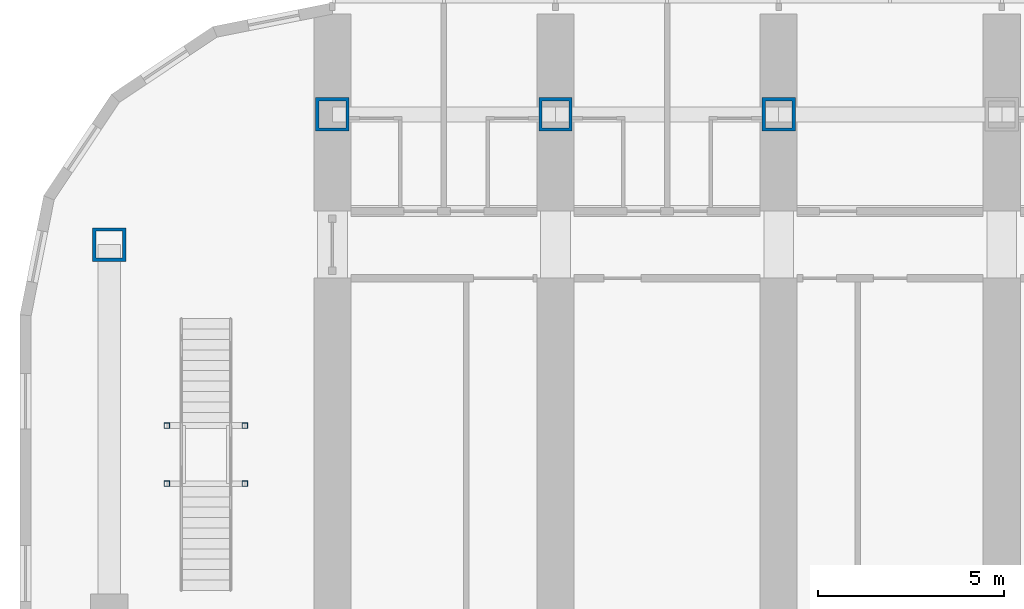
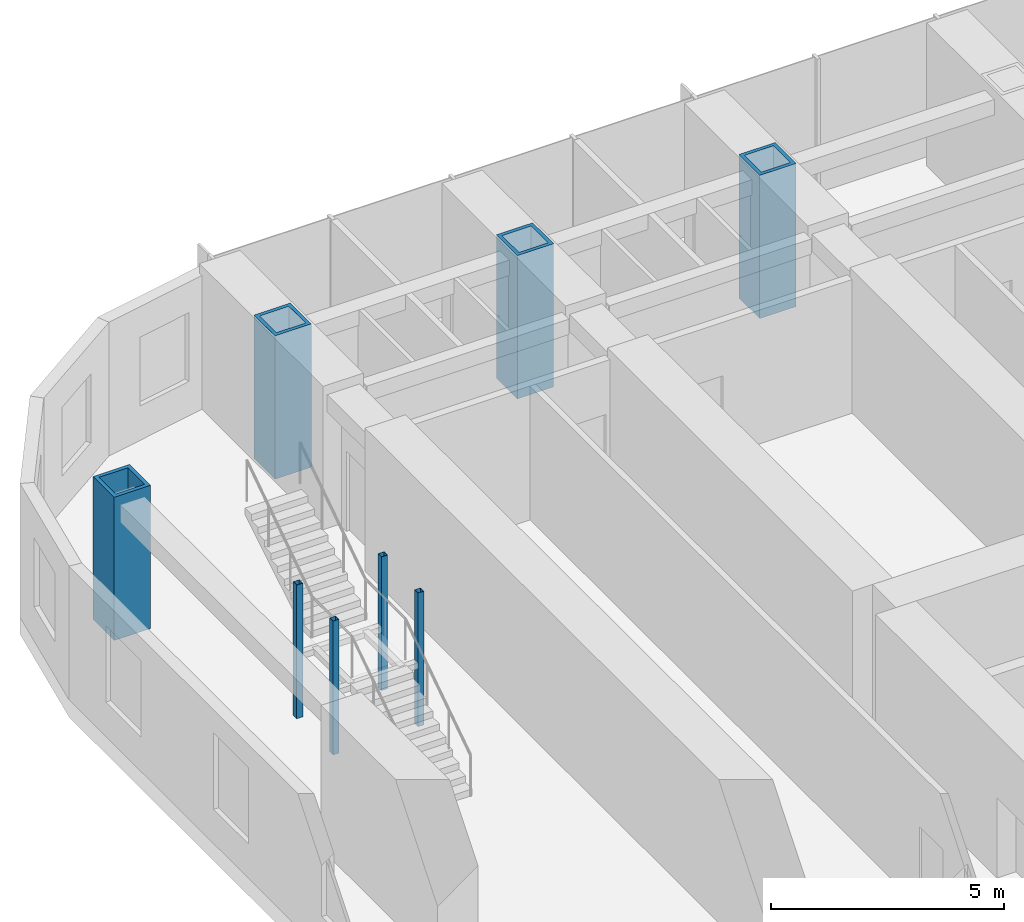
# One storey, part 2 of 28: 8 columns.
"""IFC4 building model written with IfcOpenShell, lengths in metres."""

from ifc_helpers import new_model, si_unit, direction, frame, origin, origin_2d, place, context, subcontext, project, spatial, hollow_rectangle, extrude, material, material_profile, profile_set, type_object, element, save


model = new_model("IFC4")

# Units and contexts
model_context = context("Model", 3, precision=1e-05, world=origin(), true_north=direction((0.0, 1.0)))
body_context = subcontext(model_context, "Body", "Model", "MODEL_VIEW")
ifc_project = project(units=[si_unit("LENGTHUNIT", "METRE"), si_unit("AREAUNIT", "SQUARE_METRE"), si_unit("VOLUMEUNIT", "CUBIC_METRE"), si_unit("PLANEANGLEUNIT", "RADIAN"), si_unit("MASSUNIT", "GRAM", prefix="KILO")], contexts=[model_context])

# Site, building, storey
site_placement = place(None, origin())
site = spatial("IfcSite", under=ifc_project, at=site_placement, CompositionType="ELEMENT")
building_placement = place(site_placement, origin())
building = spatial("IfcBuilding", under=site, at=building_placement, Name="Orbita Commons", CompositionType="ELEMENT")
storey_placement = place(building_placement, frame((0.0, 0.0, 23.949951171875)))
storey = spatial("IfcBuildingStorey", under=building, at=storey_placement, Name="L05", CompositionType="ELEMENT", Elevation=23.949951171875)

# Columns
ifc_material_1 = material(Name="Steel ASTM A992", Category="steel")
ifc_material_profile_1 = material_profile(ifc_material_1, hollow_rectangle(XDim=0.14990234375, YDim=0.14990234375, WallThickness=0.008056640625, at=origin_2d()), Name="SHS 150x150x8")
ifc_profile_set_1 = profile_set([ifc_material_profile_1], Name="Steel ASTM A992")
column_type_1 = type_object("IfcColumnType", Name="Landing post SHS 150x150x8", PredefinedType="COLUMN", material=ifc_profile_set_1)
for number, where, z_axis, x_axis, name in (
    (1, (7.550048828125, 43.675048828125, 0.0), (0.0, 0.0, 1.0), (1.0, 0.0, 0.0), "Neighbourhood stair L05 to L06 landing post 1"),
    (2, (9.64990234375, 43.675048828125, 0.0), (0.0, 0.0, 1.0), (1.0, 0.0, 0.0), "Neighbourhood stair L05 to L06 landing post 2"),
    (3, (7.550048828125, 45.235107421875, 0.0), (0.0, 0.0, 1.0), (1.0, 0.0, 0.0), "Neighbourhood stair L05 to L06 landing post 3"),
    (4, (9.64990234375, 45.235107421875, 0.0), (0.0, 0.0, 1.0), (1.0, 0.0, 0.0), "Neighbourhood stair L05 to L06 landing post 4"),
):
    element("IfcColumn", number, at=place(storey_placement, frame(where, z_axis=z_axis, x_axis=x_axis)), inside=storey, type_object=column_type_1, Name=name, PredefinedType="COLUMN", context=body_context, shape_type="SweptSolid", body=[
        extrude(hollow_rectangle(XDim=0.14990234375, YDim=0.14990234375, WallThickness=0.008056640625, at=origin_2d()), origin(), (0.0, 0.0, 1.0), 3.5),
    ])
ifc_material_2 = material(Name="Steel ASTM A572 Gr 50 welded plate", Category="steel")
ifc_material_profile_2 = material_profile(ifc_material_2, hollow_rectangle(XDim=0.89990234375, YDim=0.89990234375, WallThickness=0.090087890625, at=origin_2d()), Name="BOX 900x900x90")
ifc_profile_set_2 = profile_set([ifc_material_profile_2], Name="Steel ASTM A572 Gr 50 welded plate")
column_type_2 = type_object("IfcColumnType", Name="Steel column BOX 900x900x90", PredefinedType="COLUMN", material=ifc_profile_set_2)
for number, where, z_axis, x_axis, name in (
    (5, (12.0, 53.60009765625, 0.0), (0.0, 0.0, 1.0), (1.0, 0.0, 0.0), "Column 3/E L05"),
    (6, (18.0, 53.60009765625, 0.0), (0.0, 0.0, 1.0), (1.0, 0.0, 0.0), "Column 4/E L05"),
    (7, (24.0, 53.60009765625, 0.0), (0.0, 0.0, 1.0), (1.0, 0.0, 0.0), "Column 5/E L05"),
    (8, (6.0, 50.10009765625, 0.0), (0.0, 0.0, 1.0), (1.0, 0.0, 0.0), "Column 2/50.1 L05"),
):
    element("IfcColumn", number, at=place(storey_placement, frame(where, z_axis=z_axis, x_axis=x_axis)), inside=storey, type_object=column_type_2, Name=name, PredefinedType="COLUMN", context=body_context, shape_type="SweptSolid", body=[
        extrude(hollow_rectangle(XDim=0.89990234375, YDim=0.89990234375, WallThickness=0.090087890625, at=origin_2d()), origin(), (0.0, 0.0, 1.0), 3.75),
    ])

save(model, "model.ifc")
